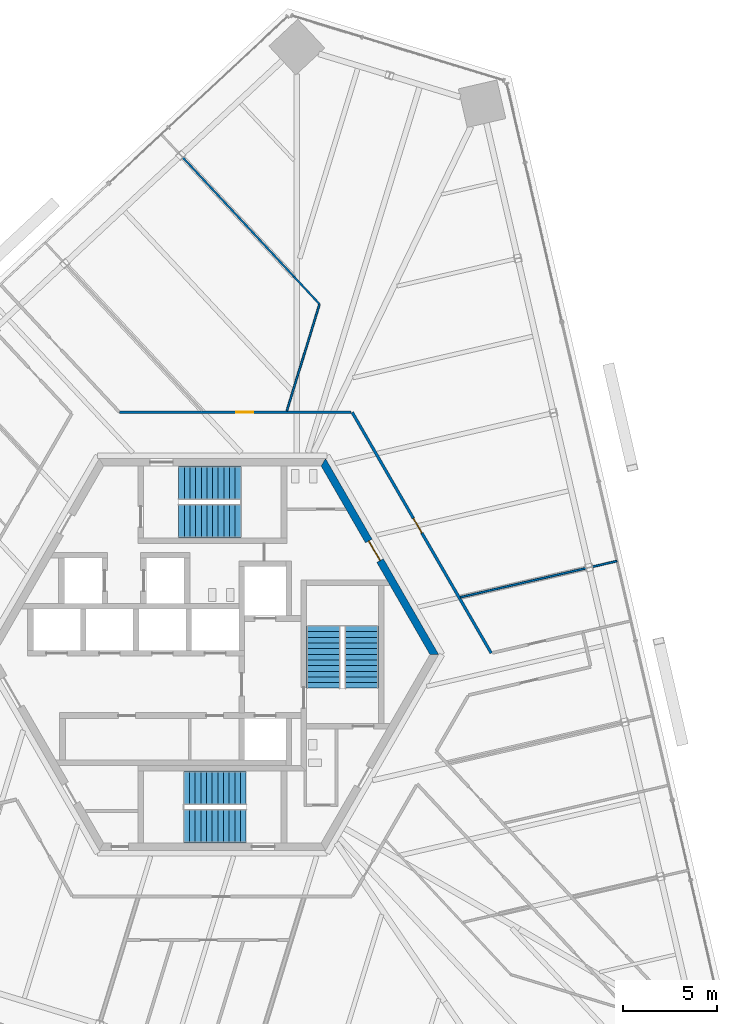
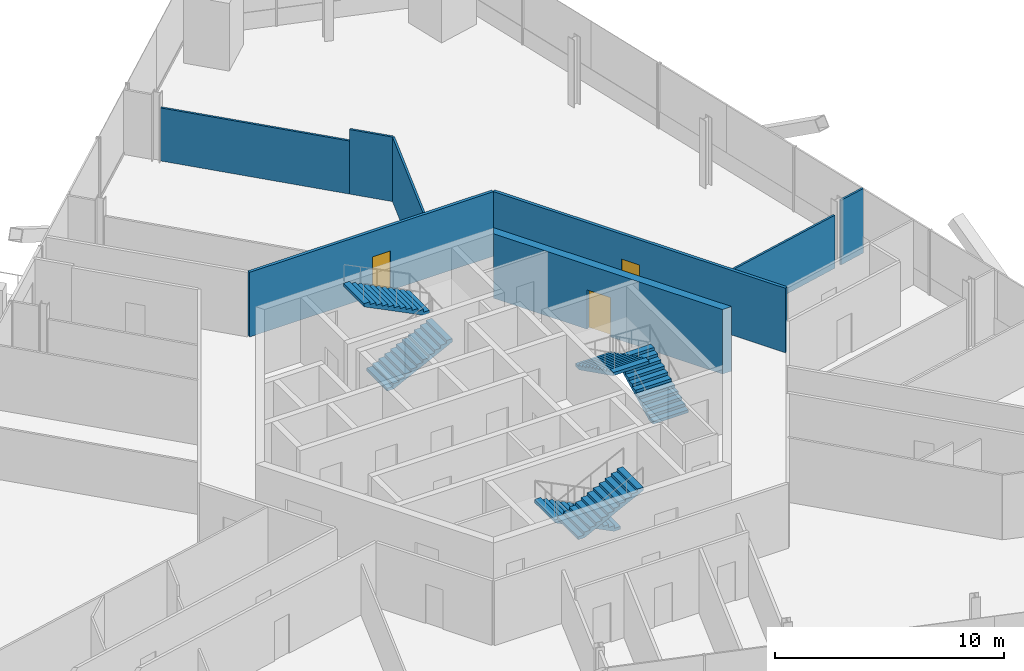
# One storey, part 15 of 19: 8 walls, 6 stair flights, 3 doors, 3 openings, 3 elements without a shape of their own.
"""IFC4 building model written with IfcOpenShell, lengths in metres."""

from ifc_helpers import new_model, si_unit, direction, frame, frame_2d, origin, place, context, subcontext, project, spatial, polyline, rectangle, outline, extrude, source, transform, mapped, material, layer, layer_set, type_object, element, fill, aggregate, save


model = new_model("IFC4")

# Units and contexts
model_context = context("Model", 3, precision=1e-05, world=origin(), true_north=direction((0.0, 1.0)))
body_context = subcontext(model_context, "Body", "Model", "MODEL_VIEW")
ifc_project = project(units=[si_unit("LENGTHUNIT", "METRE"), si_unit("AREAUNIT", "SQUARE_METRE"), si_unit("VOLUMEUNIT", "CUBIC_METRE"), si_unit("PLANEANGLEUNIT", "RADIAN"), si_unit("MASSUNIT", "GRAM", prefix="KILO")], contexts=[model_context])

# Site, building, storey
site_placement = place(None, origin())
site = spatial("IfcSite", under=ifc_project, at=site_placement, CompositionType="ELEMENT")
building_placement = place(site_placement, origin())
building = spatial("IfcBuilding", under=site, at=building_placement, Name="Triune Harvest Tower", CompositionType="ELEMENT")
storey_placement = place(building_placement, frame((0.0, 0.0, 109.10009765625)))
storey = spatial("IfcBuildingStorey", under=building, at=storey_placement, Name="L27", CompositionType="ELEMENT", Elevation=109.10009765625)

# Wall, opening, door
ifc_material_1 = material(Name="Concrete 70 MPa", Category="concrete")
ifc_layer_1 = layer(ifc_material_1, 0.39990234375)
ifc_layer_set_1 = layer_set([ifc_layer_1], Name="Concrete 70 MPa")
wall_type_1 = type_object("IfcWallType", Name="Core wall 400", PredefinedType="SHEAR", material=ifc_layer_set_1)
shared_shape_1 = source(origin(), body_context, "Body", "SweptSolid", [
    extrude(outline(polyline([(-0.115478515625, -0.199951171875), (11.884521484375, -0.199951171875), (11.653564453125, 0.199951171875), (0.115478515625, 0.199951171875), (-0.115478515625, -0.199951171875)])), origin(), (0.0, 0.0, 1.0), 3.43994140625),
])
wall_1_placement = place(storey_placement, frame((11.76904296875, 0.0, 0.0), z_axis=(0.0, 0.0, 1.0), x_axis=(-0.499996592174, 0.866027371285, 0.0)))
wall_1 = element("IfcWall", 1, at=wall_1_placement, inside=storey, type_object=wall_type_1, Name="Hexagon 0 wall", PredefinedType="SHEAR", context=body_context, shape_type="MappedRepresentation", body=[
    mapped(shared_shape_1, transform((0.0, 0.0, 0.0), scale=1.0)),
])
opening_1_placement = place(wall_1_placement, frame((5.75048828125, 0.0, 0.0)))
opening_1 = element("IfcOpeningElement", 2, at=opening_1_placement, cuts=wall_1, Name="Opening CD-WCP", PredefinedType="OPENING", context=body_context, shape_type="SweptSolid", body=[
    extrude(rectangle(XDim=1.199951171875, YDim=2.10009765625, at=frame_2d((0.60009765625, 1.050048828125))), frame((0.0, 0.2099609375, 0.0), z_axis=(0.0, -1.0, 0.0), x_axis=(1.0, 0.0, 0.0)), (0.0, 0.0, 1.0), 0.419921875),
])
ifc_material_2 = material(Name="Steel S235", Category="steel")
door_type_1 = type_object("IfcDoorType", Name="Lobby door 1200 FD120", OperationType="SINGLE_SWING_LEFT", PredefinedType="DOOR", material=ifc_material_2)
door_1_placement = place(opening_1_placement, frame((1.199951171875, 0.0, 0.0), z_axis=(0.0, 0.0, 1.0), x_axis=(-1.0, 0.0, 0.0)))
door_1 = element("IfcDoor", 3, at=door_1_placement, inside=storey, type_object=door_type_1, Name="Door CD-WCP", OperationType="SINGLE_SWING_RIGHT", OverallHeight=2.10009765625, OverallWidth=1.199951171875, PredefinedType="DOOR", context=body_context, shape_type="SweptSolid", body=[
    extrude(rectangle(XDim=1.199951171875, YDim=2.10009765625, at=frame_2d((0.60009765625, 1.050048828125))), frame((0.0, 0.02490234375, 0.0), z_axis=(0.0, -1.0, 0.0), x_axis=(1.0, 0.0, 0.0)), (0.0, 0.0, 1.0), 0.050048828125),
])
fill(opening_1, door_1)

# Walls
ifc_material_3 = material(Name="Gypsum board on steel studs", Category="steel")
ifc_layer_2 = layer(ifc_material_3, 0.10009765625)
ifc_layer_set_2 = layer_set([ifc_layer_2], Name="Gypsum board on steel studs")
wall_type_2 = type_object("IfcWallType", Name="Partition 100 mm", PredefinedType="PARTITIONING", material=ifc_layer_set_2)
shared_shape_2 = source(origin(), body_context, "Body", "SweptSolid", [
    extrude(rectangle(XDim=1.338134765625, YDim=0.10009765625, at=frame_2d((0.6689453125, 0.0))), origin(), (0.0, 0.0, 1.0), 3.43994140625),
])
wall_2_placement = place(storey_placement, frame((20.156005859375, 4.6533203125, 0.0), z_axis=(0.0, 0.0, 1.0), x_axis=(0.974363511026, 0.224979439906, 0.0)))
element("IfcWall", 4, at=wall_2_placement, inside=storey, type_object=wall_type_2, Name="Partition L27 044", PredefinedType="PARTITIONING", context=body_context, shape_type="MappedRepresentation", body=[
    mapped(shared_shape_2, transform((0.0, 0.0, 0.0), scale=1.0)),
])
shared_shape_3 = source(origin(), body_context, "Body", "SweptSolid", [
    extrude(rectangle(XDim=1.9912109375, YDim=0.10009765625, at=frame_2d((0.99560546875, 0.0))), origin(), (0.0, 0.0, 1.0), 3.43994140625),
])
wall_3_placement = place(storey_placement, frame((4.323486328125, 20.03955078125, 0.0), z_axis=(0.0, 0.0, 1.0), x_axis=(0.681968684126, -0.731381373752, 0.0)))
element("IfcWall", 5, at=wall_3_placement, inside=storey, type_object=wall_type_2, Name="Partition L27 022a", PredefinedType="PARTITIONING", context=body_context, shape_type="MappedRepresentation", body=[
    mapped(shared_shape_3, transform((0.0, 0.0, 0.0), scale=1.0)),
])

# Wall, opening, door
ifc_material_4 = material(Name="Gypsum board on steel studs", Category="steel")
ifc_layer_3 = layer(ifc_material_4, 0.14990234375)
ifc_layer_set_3 = layer_set([ifc_layer_3], Name="Gypsum board on steel studs")
wall_type_3 = type_object("IfcWallType", Name="Fire Partition 150 mm", PredefinedType="PARTITIONING", material=ifc_layer_set_3)
shared_shape_4 = source(origin(), body_context, "Body", "SweptSolid", [
    extrude(rectangle(XDim=14.7470703125, YDim=0.14990234375, at=frame_2d((7.37353515625, 0.0))), origin(), (0.0, 0.0, 1.0), 3.43994140625),
])
wall_4_placement = place(storey_placement, frame((7.414306640625, 12.84228515625, 0.0), z_axis=(0.0, 0.0, 1.0), x_axis=(0.500002856634, -0.8660237545, 0.0)))
wall_4 = element("IfcWall", 6, at=wall_4_placement, inside=storey, type_object=wall_type_3, Name="Partition L27 006", PredefinedType="PARTITIONING", context=body_context, shape_type="MappedRepresentation", body=[
    mapped(shared_shape_4, transform((0.0, 0.0, 0.0), scale=1.0)),
])
opening_2_placement = place(wall_4_placement, frame((6.490966796875, 0.0, 0.0)))
opening_2 = element("IfcOpeningElement", 7, at=opening_2_placement, cuts=wall_4, Name="Opening L27-008", PredefinedType="OPENING", context=body_context, shape_type="SweptSolid", body=[
    extrude(rectangle(XDim=0.89990234375, YDim=2.10009765625, at=frame_2d((0.449951171875, 1.050048828125))), frame((0.0, 0.0849609375, 0.0), z_axis=(0.0, -1.0, 0.0), x_axis=(1.0, 0.0, 0.0)), (0.0, 0.0, 1.0), 0.169921875),
])
ifc_material_5 = material(Name="Timber and steel door set", Category="steel")
door_type_2 = type_object("IfcDoorType", Name="Single leaf door FD30 left hand 900 x 2100", OperationType="SINGLE_SWING_LEFT", PredefinedType="DOOR", material=ifc_material_5)
door_2_placement = place(opening_2_placement, origin())
door_2 = element("IfcDoor", 8, at=door_2_placement, inside=storey, type_object=door_type_2, Name="Door L27-008 Open Office 27.08", OperationType="SINGLE_SWING_LEFT", OverallHeight=2.10009765625, OverallWidth=0.89990234375, PredefinedType="DOOR", context=body_context, shape_type="SweptSolid", body=[
    extrude(rectangle(XDim=0.89990234375, YDim=2.10009765625, at=frame_2d((0.449951171875, 1.050048828125))), frame((0.0, 0.02490234375, 0.0), z_axis=(0.0, -1.0, 0.0), x_axis=(1.0, 0.0, 0.0)), (0.0, 0.0, 1.0), 0.050048828125),
])
fill(opening_2, door_2)

# Walls
shared_shape_5 = source(origin(), body_context, "Body", "SweptSolid", [
    extrude(rectangle(XDim=6.825927734375, YDim=0.10009765625, at=frame_2d((3.4130859375, 0.0))), origin(), (0.0, 0.0, 1.0), 2.82763671875),
])
wall_5_placement = place(storey_placement, frame((13.153076171875, 3.03662109375, 0.0), z_axis=(0.0, 0.0, 1.0), x_axis=(0.974374314592, 0.224932645614, 0.0)))
element("IfcWall", 9, at=wall_5_placement, inside=storey, type_object=wall_type_2, Name="Partition L27 043", PredefinedType="PARTITIONING", context=body_context, shape_type="MappedRepresentation", body=[
    mapped(shared_shape_5, transform((0.0, 0.0, 0.0), scale=1.0)),
])
shared_shape_6 = source(origin(), body_context, "Body", "SweptSolid", [
    extrude(rectangle(XDim=8.61767578125, YDim=0.10009765625, at=frame_2d((4.308837890625, 0.0))), origin(), (0.0, 0.0, 1.0), 2.82763671875),
])
wall_6_placement = place(storey_placement, frame((-1.5537109375, 26.342041015625, 0.0), z_axis=(0.0, 0.0, 1.0), x_axis=(0.682000224703, -0.731351962809, 0.0)))
element("IfcWall", 10, at=wall_6_placement, inside=storey, type_object=wall_type_2, Name="Partition L27 022", PredefinedType="PARTITIONING", context=body_context, shape_type="MappedRepresentation", body=[
    mapped(shared_shape_6, transform((0.0, 0.0, 0.0), scale=1.0)),
])

# Wall, opening, door
shared_shape_7 = source(origin(), body_context, "Body", "SweptSolid", [
    extrude(rectangle(XDim=12.28857421875, YDim=0.14990234375, at=frame_2d((6.144287109375, 0.0))), origin(), (0.0, 0.0, 1.0), 3.43994140625),
])
wall_7_placement = place(storey_placement, frame((-4.924072265625, 12.84228515625, 0.0), z_axis=(0.0, 0.0, 1.0), x_axis=(1.0, 0.0, 0.0)))
wall_7 = element("IfcWall", 11, at=wall_7_placement, inside=storey, type_object=wall_type_3, Name="Partition L27 027", PredefinedType="PARTITIONING", context=body_context, shape_type="MappedRepresentation", body=[
    mapped(shared_shape_7, transform((0.0, 0.0, 0.0), scale=1.0)),
])
opening_3_placement = place(wall_7_placement, frame((6.2001953125, 0.0, 0.0)))
opening_3 = element("IfcOpeningElement", 12, at=opening_3_placement, cuts=wall_7, Name="Opening L27-009", PredefinedType="OPENING", context=body_context, shape_type="SweptSolid", body=[
    extrude(rectangle(XDim=0.89990234375, YDim=2.10009765625, at=frame_2d((0.449951171875, 1.050048828125))), frame((0.0, 0.0849609375, 0.0), z_axis=(0.0, -1.0, 0.0), x_axis=(1.0, 0.0, 0.0)), (0.0, 0.0, 1.0), 0.169921875),
])
ifc_material_6 = material(Name="Timber and steel door set", Category="steel")
door_type_3 = type_object("IfcDoorType", Name="Single leaf door FD30 right hand 900 x 2100", OperationType="SINGLE_SWING_RIGHT", PredefinedType="DOOR", material=ifc_material_6)
door_3_placement = place(opening_3_placement, origin())
door_3 = element("IfcDoor", 13, at=door_3_placement, inside=storey, type_object=door_type_3, Name="Door L27-009 Pantry 27.09", OperationType="SINGLE_SWING_RIGHT", OverallHeight=2.10009765625, OverallWidth=0.89990234375, PredefinedType="DOOR", context=body_context, shape_type="SweptSolid", body=[
    extrude(rectangle(XDim=0.89990234375, YDim=2.10009765625, at=frame_2d((0.449951171875, 1.050048828125))), frame((0.0, 0.02490234375, 0.0), z_axis=(0.0, -1.0, 0.0), x_axis=(1.0, 0.0, 0.0)), (0.0, 0.0, 1.0), 0.050048828125),
])
fill(opening_3, door_3)

# Wall
shared_shape_8 = source(origin(), body_context, "Body", "SweptSolid", [
    extrude(rectangle(XDim=5.913330078125, YDim=0.10009765625, at=frame_2d((2.95654296875, 0.0))), origin(), (0.0, 0.0, 1.0), 3.43994140625),
])
wall_8_placement = place(storey_placement, frame((3.94677734375, 12.9091796875, 0.0), z_axis=(0.0, 0.0, 1.0), x_axis=(0.292347548658, 0.95631214088, 0.0)))
element("IfcWall", 14, at=wall_8_placement, inside=storey, type_object=wall_type_2, Name="Partition L27 056", PredefinedType="PARTITIONING", context=body_context, shape_type="MappedRepresentation", body=[
    mapped(shared_shape_8, transform((0.0, 0.0, 0.0), scale=1.0)),
])

# Stair, stair flights
ifc_material_7 = material(Name="Concrete 40 MPa", Category="concrete")
stair_type = type_object("IfcStairType", Name="Exit stair 1800 half turn", PredefinedType="HALF_TURN_STAIR", material=ifc_material_7)
stair_1_placement = place(storey_placement, origin())
stair_1 = element("IfcStair", 15, at=stair_1_placement, inside=storey, type_object=stair_type, Name="Exit stair north", PredefinedType="HALF_TURN_STAIR")
ifc_material_8 = material(Name="Concrete 40 MPa", Category="concrete")
stair_flight_type = type_object("IfcStairFlightType", Name="Stair flight 1800", PredefinedType="STRAIGHT", material=ifc_material_8)
shared_shape_9 = source(origin(), body_context, "Body", "SweptSolid", [
    extrude(outline(polyline([(0.0, 0.0), (0.0, 0.14990234375), (0.300048828125, 0.14990234375), (0.300048828125, 0.300048828125), (0.60009765625, 0.300048828125), (0.60009765625, 0.449951171875), (0.89990234375, 0.449951171875), (0.89990234375, 0.60009765625), (1.199951171875, 0.60009765625), (1.199951171875, 0.75), (1.5, 0.75), (1.5, 0.89990234375), (1.800048828125, 0.89990234375), (1.800048828125, 1.050048828125), (2.10009765625, 1.050048828125), (2.10009765625, 1.199951171875), (2.39990234375, 1.199951171875), (2.39990234375, 1.35009765625), (2.699951171875, 1.35009765625), (2.699951171875, 1.5), (3.0, 1.5), (3.0, 1.64990234375), (3.300048828125, 1.64990234375), (3.300048828125, 1.800048828125), (3.300048828125, 1.482421875), (0.335205078125, 0.0), (0.0, 0.0)])), frame((0.0, 0.89990234375, 0.0), z_axis=(0.0, -1.0, 0.0), x_axis=(1.0, 0.0, 0.0)), (0.0, 0.0, 1.0), 1.800048828125),
])
stair_flight_1_placement = place(storey_placement, frame((-1.7900390625, 7.090087890625, 0.0), z_axis=(0.0, 0.0, 1.0), x_axis=(1.0, 0.0, 0.0)))
stair_flight_1 = element("IfcStairFlight", 16, at=stair_flight_1_placement, type_object=stair_flight_type, Name="ST-1 flight 1", NumberOfRisers=12, NumberOfTreads=11, PredefinedType="STRAIGHT", RiserHeight=0.15, TreadLength=0.3, context=body_context, shape_type="MappedRepresentation", body=[
    mapped(shared_shape_9, transform((0.0, 0.0, 0.0), scale=1.0)),
])
stair_flight_2_placement = place(storey_placement, frame((1.510009765625, 9.090087890625, 1.7998046875), z_axis=(0.0, 0.0, 1.0), x_axis=(-1.0, 0.0, 0.0)))
stair_flight_2 = element("IfcStairFlight", 17, at=stair_flight_2_placement, type_object=stair_flight_type, Name="ST-1 flight 2", NumberOfRisers=12, NumberOfTreads=11, PredefinedType="STRAIGHT", RiserHeight=0.15, TreadLength=0.3, context=body_context, shape_type="MappedRepresentation", body=[
    mapped(shared_shape_9, transform((0.0, 0.0, 0.0), scale=1.0)),
])
aggregate(stair_1, [stair_flight_1, stair_flight_2])

stair_2_placement = place(storey_placement, origin())
stair_2 = element("IfcStair", 18, at=stair_2_placement, inside=storey, type_object=stair_type, Name="Exit stair south", PredefinedType="HALF_TURN_STAIR")
stair_flight_3_placement = place(storey_placement, frame((1.7900390625, -7.090087890625, 0.0), z_axis=(0.0, 0.0, 1.0), x_axis=(-1.0, 0.0, 0.0)))
stair_flight_3 = element("IfcStairFlight", 19, at=stair_flight_3_placement, type_object=stair_flight_type, Name="ST-2 flight 1", NumberOfRisers=12, NumberOfTreads=11, PredefinedType="STRAIGHT", RiserHeight=0.15, TreadLength=0.3, context=body_context, shape_type="MappedRepresentation", body=[
    mapped(shared_shape_9, transform((0.0, 0.0, 0.0), scale=1.0)),
])
stair_flight_4_placement = place(storey_placement, frame((-1.510009765625, -9.090087890625, 1.7998046875), z_axis=(0.0, 0.0, 1.0), x_axis=(1.0, 0.0, 0.0)))
stair_flight_4 = element("IfcStairFlight", 20, at=stair_flight_4_placement, type_object=stair_flight_type, Name="ST-2 flight 2", NumberOfRisers=12, NumberOfTreads=11, PredefinedType="STRAIGHT", RiserHeight=0.15, TreadLength=0.3, context=body_context, shape_type="MappedRepresentation", body=[
    mapped(shared_shape_9, transform((0.0, 0.0, 0.0), scale=1.0)),
])
aggregate(stair_2, [stair_flight_3, stair_flight_4])

stair_3_placement = place(storey_placement, origin())
stair_3 = element("IfcStair", 21, at=stair_3_placement, inside=storey, type_object=stair_type, Name="Exit stair east", PredefinedType="HALF_TURN_STAIR")
stair_flight_5_placement = place(storey_placement, frame((7.89990234375, -1.7900390625, 0.0), z_axis=(0.0, 0.0, 1.0), x_axis=(0.0, 1.0, 0.0)))
stair_flight_5 = element("IfcStairFlight", 22, at=stair_flight_5_placement, type_object=stair_flight_type, Name="ST-3 flight 1", NumberOfRisers=12, NumberOfTreads=11, PredefinedType="STRAIGHT", RiserHeight=0.15, TreadLength=0.3, context=body_context, shape_type="MappedRepresentation", body=[
    mapped(shared_shape_9, transform((0.0, 0.0, 0.0), scale=1.0)),
])
stair_flight_6_placement = place(storey_placement, frame((5.89990234375, 1.510009765625, 1.7998046875), z_axis=(0.0, 0.0, 1.0), x_axis=(0.0, -1.0, 0.0)))
stair_flight_6 = element("IfcStairFlight", 23, at=stair_flight_6_placement, type_object=stair_flight_type, Name="ST-3 flight 2", NumberOfRisers=12, NumberOfTreads=11, PredefinedType="STRAIGHT", RiserHeight=0.15, TreadLength=0.3, context=body_context, shape_type="MappedRepresentation", body=[
    mapped(shared_shape_9, transform((0.0, 0.0, 0.0), scale=1.0)),
])
aggregate(stair_3, [stair_flight_5, stair_flight_6])

save(model, "model.ifc")
